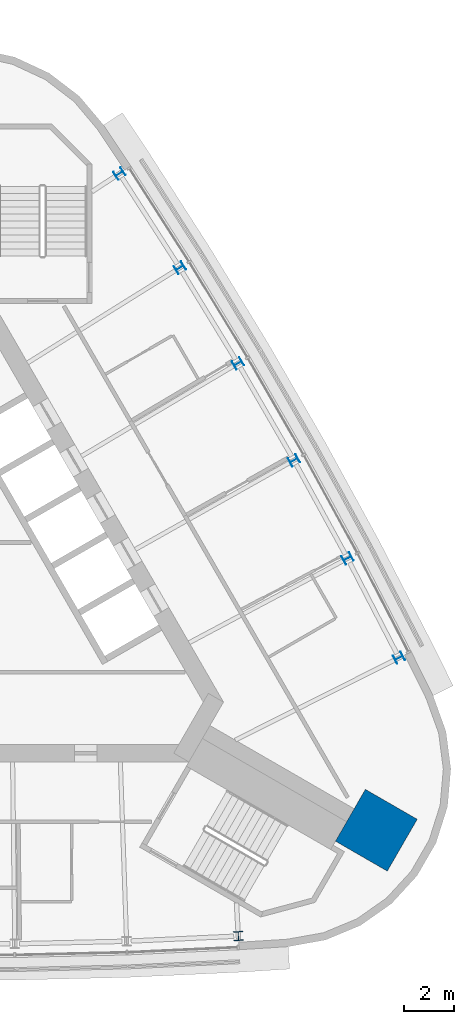
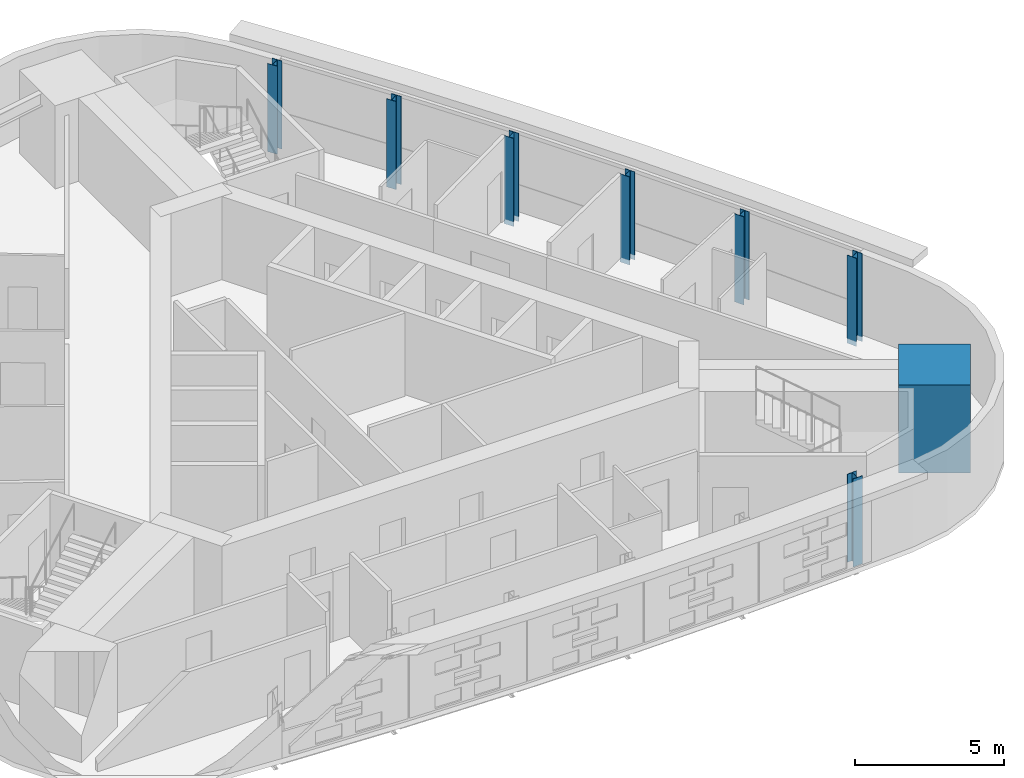
# One storey, part 2 of 13: 8 columns.
"""IFC4 building model written with IfcOpenShell, lengths in metres."""

from ifc_helpers import new_model, si_unit, direction, frame, origin, origin_2d, place, context, subcontext, project, spatial, rectangle, i_section, extrude, material, material_profile, profile_set, type_object, element, save


model = new_model("IFC4")

# Units and contexts
model_context = context("Model", 3, precision=1e-05, world=origin(), true_north=direction((0.0, 1.0)))
body_context = subcontext(model_context, "Body", "Model", "MODEL_VIEW")
ifc_project = project(units=[si_unit("LENGTHUNIT", "METRE"), si_unit("AREAUNIT", "SQUARE_METRE"), si_unit("VOLUMEUNIT", "CUBIC_METRE"), si_unit("PLANEANGLEUNIT", "RADIAN"), si_unit("MASSUNIT", "GRAM", prefix="KILO")], contexts=[model_context])

# Site, building, storey
site_placement = place(None, origin())
site = spatial("IfcSite", under=ifc_project, at=site_placement, CompositionType="ELEMENT")
building_placement = place(site_placement, origin())
building = spatial("IfcBuilding", under=site, at=building_placement, Name="Noor Cloister Tower", CompositionType="ELEMENT")
storey_placement = place(building_placement, frame((0.0, 0.0, 270.60009765625)))
storey = spatial("IfcBuildingStorey", under=building, at=storey_placement, Name="L69", CompositionType="ELEMENT", Elevation=270.60009765625)

# Columns
ifc_material_1 = material(Name="Steel ASTM A992 Gr 50", Category="steel")
ifc_material_profile_1 = material_profile(ifc_material_1, i_section(OverallWidth=0.37109375, OverallDepth=0.361083984375, WebThickness=0.01220703125, FlangeThickness=0.019775390625, FilletRadius=0.015380859375, at=origin_2d()), Name="W360x147")
ifc_profile_set_1 = profile_set([ifc_material_profile_1], Name="Steel ASTM A992 Gr 50")
column_type_1 = type_object("IfcColumnType", Name="Column W360x147", PredefinedType="COLUMN", material=ifc_profile_set_1)
for number, where, z_axis, x_axis, name in (
    (1, (11.2119140625, -13.911376953125, -0.2001953125), (0.0, 0.0, 1.0), (0.998319577082, 0.057948442721, 0.0), "Column S 06 L69"),
    (2, (17.653564453125, -2.75390625, -0.2001953125), (0.0, 0.0, 1.0), (-0.448974965035, 0.893544336209, 0.0), "Column NE 01 L69"),
    (3, (15.592529296875, 1.231689453125, -0.2001953125), (0.0, 0.0, 1.0), (-0.469575774469, 0.882892174635, 0.0), "Column NE 02 L69"),
    (4, (13.439697265625, 5.168701171875, -0.2001953125), (0.0, 0.0, 1.0), (-0.489924016972, 0.87176513901, 0.0), "Column NE 03 L69"),
    (5, (11.196044921875, 9.0546875, -0.2001953125), (0.0, 0.0, 1.0), (-0.51000874803, 0.860169214127, 0.0), "Column NE 04 L69"),
    (6, (8.863037109375, 12.8876953125, -0.2001953125), (0.0, 0.0, 1.0), (-0.529819164802, 0.84811063701, 0.0), "Column NE 05 L69"),
    (7, (6.441650390625, 16.66552734375, -0.2001953125), (0.0, 0.0, 1.0), (-0.549344612048, 0.835595893488, 0.0), "Column NE 06 L69"),
):
    element("IfcColumn", number, at=place(storey_placement, frame(where, z_axis=z_axis, x_axis=x_axis)), inside=storey, type_object=column_type_1, Name=name, PredefinedType="COLUMN", context=body_context, shape_type="SweptSolid", body=[
        extrude(i_section(OverallWidth=0.37109375, OverallDepth=0.361083984375, WebThickness=0.01220703125, FlangeThickness=0.019775390625, FilletRadius=0.015380859375, at=origin_2d()), origin(), (0.0, 0.0, 1.0), 3.60009765625),
    ])
ifc_material_2 = material(Name="Concrete C60/75", Category="concrete")
ifc_material_profile_2 = material_profile(ifc_material_2, rectangle(XDim=2.39990234375, YDim=2.39990234375, at=origin_2d()), Name="RC 2400x2400")
ifc_profile_set_2 = profile_set([ifc_material_profile_2], Name="Concrete C60/75")
column_type_2 = type_object("IfcColumnType", Name="Corner pier 2400 x 2400 C60/75", PredefinedType="COLUMN", material=ifc_profile_set_2)
column_placement = place(storey_placement, frame((16.74462890625, -9.66748046875, -0.2001953125), z_axis=(0.0, 0.0, 1.0), x_axis=(0.866025403784, -0.5, 0.0)))
element("IfcColumn", 8, at=column_placement, inside=storey, type_object=column_type_2, Name="Corner pier SE L69", PredefinedType="COLUMN", context=body_context, shape_type="SweptSolid", body=[
    extrude(rectangle(XDim=2.39990234375, YDim=2.39990234375, at=origin_2d()), origin(), (0.0, 0.0, 1.0), 3.60009765625),
])

save(model, "model.ifc")
